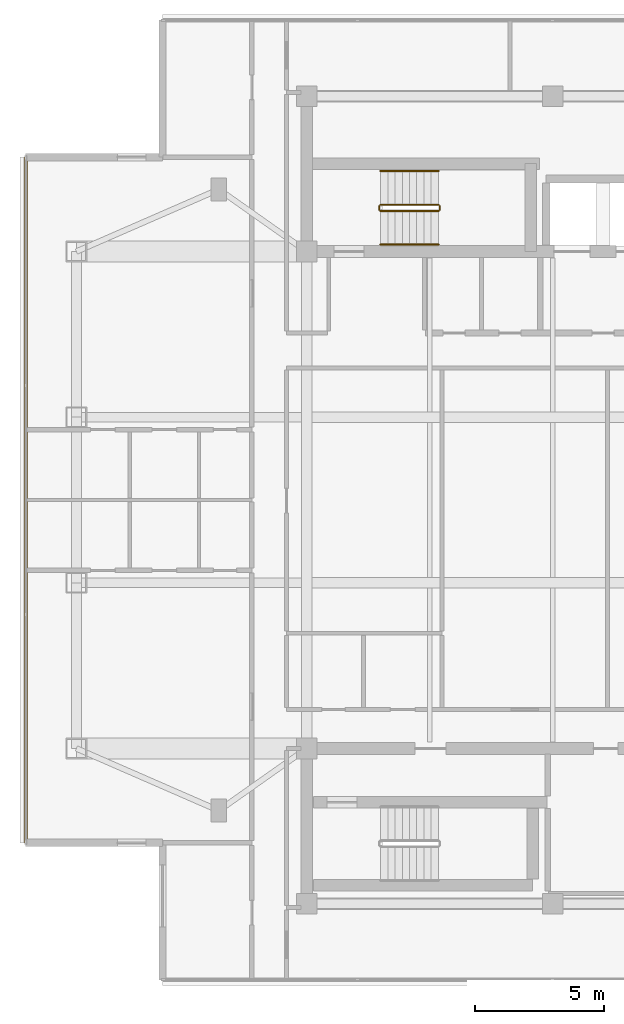
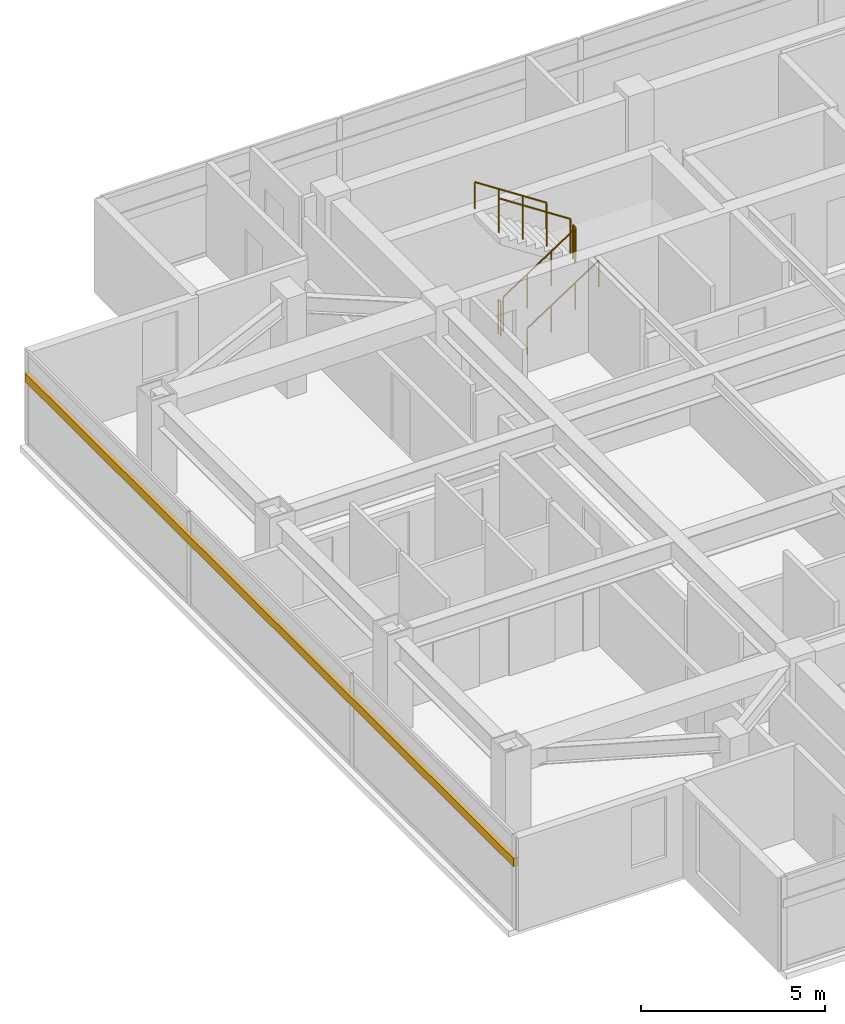
# One storey, part 11 of 12: 6 railings, 1 shading device.
"""IFC4 building model written with IfcOpenShell, lengths in metres."""

import ifcopenshell
import ifcopenshell.guid

model = None  # the IFC model being written
_history = None  # IfcOwnerHistory: only IFC2X3 demands one
_inside = {}  # id of a spatial element -> (the spatial element, [elements in it])
_under = {}  # id of a project, library or spatial element -> (it, [spatial elements below it])
_declared = {}  # id of a project -> (the project, [libraries it declares])
_typed = {}  # id of a type object -> (the type object, [elements of that type])
_made_of = {}  # id of a material, layer set ... -> (it, [elements and type objects made of it])


def new_model(schema):
    """Start an empty IFC model of exactly this schema.

    Asked for "IFC4X3", IfcOpenShell would pick the latest addendum, in which some entities
    have other attributes; the version numbers below select the first issue.
    IFC2X3 requires an IfcOwnerHistory on every rooted entity: one is made here for all.
    """
    global model, _history
    if schema == "IFC4X3":
        model = ifcopenshell.file(schema_version=(4, 3, 0, 0))
    else:
        model = ifcopenshell.file(schema=schema)
    _inside.clear()
    _under.clear()
    _declared.clear()
    _typed.clear()
    _made_of.clear()
    _history = None
    if model.schema == "IFC2X3":
        org = make("IfcOrganization", Name="unknown")
        user = make(
            "IfcPersonAndOrganization",
            ThePerson=make("IfcPerson", FamilyName="unknown"),
            TheOrganization=org,
        )
        app = make(
            "IfcApplication",
            ApplicationDeveloper=org,
            Version="unknown",
            ApplicationFullName="unknown",
            ApplicationIdentifier="unknown",
        )
        _history = make(
            "IfcOwnerHistory",
            OwningUser=user,
            OwningApplication=app,
            ChangeAction="ADDED",
            CreationDate=0,
        )
    return model


def make(cls, **values):
    """One entity of the class cls with the attributes given. An attribute that is None is left unset."""
    return model.create_entity(
        cls, **{name: value for name, value in values.items() if value is not None}
    )


def rooted(cls, **values):
    """An entity with a GlobalId (a new one), such as an element, a storey or a relation."""
    return make(cls, GlobalId=ifcopenshell.guid.new(), OwnerHistory=_history, **values)


def si_unit(unit_type, name, prefix=None):
    """IfcSIUnit, for example si_unit("LENGTHUNIT", "METRE", prefix="MILLI")."""
    return make("IfcSIUnit", UnitType=unit_type, Prefix=prefix, Name=name)


def assignment(units):
    """IfcUnitAssignment: the units of a project."""
    return None if units is None else make("IfcUnitAssignment", Units=units)


def point(xyz):
    """IfcCartesianPoint."""
    return None if xyz is None else make("IfcCartesianPoint", Coordinates=xyz)


def direction(xyz):
    """IfcDirection."""
    return None if xyz is None else make("IfcDirection", DirectionRatios=xyz)


def frame(location, z_axis=None, x_axis=None):
    """IfcAxis2Placement3D, a coordinate frame: its origin and axes. An axis left out is left unset."""
    return make(
        "IfcAxis2Placement3D",
        Location=point(location),
        Axis=direction(z_axis),
        RefDirection=direction(x_axis),
    )


def frame_2d(location, x_axis=None):
    """IfcAxis2Placement2D, a coordinate frame in the plane: its origin and x axis."""
    return make(
        "IfcAxis2Placement2D", Location=point(location), RefDirection=direction(x_axis)
    )


def origin():
    """The frame at (0, 0, 0) with its axes left unset."""
    return frame((0.0, 0.0, 0.0))


def origin_2d():
    """The frame at (0, 0) in the plane with its x axis left unset."""
    return frame_2d((0.0, 0.0))


def place(relative_to, where):
    """IfcLocalPlacement: puts the frame where relative to a parent placement (None: the world)."""
    return make(
        "IfcLocalPlacement", PlacementRelTo=relative_to, RelativePlacement=where
    )


def context(
    kind, dimensions, precision=None, world=None, true_north=None, identifier=None
):
    """IfcGeometricRepresentationContext, for example the 3D "Model" context."""
    return make(
        "IfcGeometricRepresentationContext",
        ContextIdentifier=identifier,
        ContextType=kind,
        CoordinateSpaceDimension=dimensions,
        Precision=precision,
        WorldCoordinateSystem=world,
        TrueNorth=true_north,
    )


def subcontext(parent, identifier, kind, view, scale=None):
    """IfcGeometricRepresentationSubContext, for example "Body" below "Model"."""
    return make(
        "IfcGeometricRepresentationSubContext",
        ContextIdentifier=identifier,
        ContextType=kind,
        ParentContext=parent,
        TargetScale=scale,
        TargetView=view,
    )


def project(units=None, contexts=None):
    """IfcProject with its units and contexts."""
    return rooted(
        "IfcProject",
        Name="project",
        RepresentationContexts=contexts,
        UnitsInContext=assignment(units),
    )


def spatial(cls, under=None, at=None, **own):
    """A site, building, storey or space (cls), placed at a placement, below another one or the project."""
    s = rooted(cls, ObjectPlacement=at, **own)
    if under is not None:
        _under.setdefault(under.id(), (under, []))[1].append(s)
    return s


def profile(cls, at=None, kind="AREA", **sizes):
    """A parametric profile (cls). Its sizes go by their IFC names, for example OverallWidth=200.0."""
    return make(cls, ProfileType=kind, Position=at, **sizes)


def rectangle(**sizes):
    """IfcRectangleProfileDef."""
    return profile("IfcRectangleProfileDef", **sizes)


def circle(**sizes):
    """IfcCircleProfileDef."""
    return profile("IfcCircleProfileDef", **sizes)


def extrude(swept, where, along, depth):
    """IfcExtrudedAreaSolid: the profile swept, set in the frame where, extruded along a direction by depth."""
    return make(
        "IfcExtrudedAreaSolid",
        SweptArea=swept,
        Position=where,
        ExtrudedDirection=direction(along),
        Depth=depth,
    )


def shape(context_of_items, identifier, shape_type, items):
    """IfcShapeRepresentation: the items that make up one representation, for example the "Body"."""
    return make(
        "IfcShapeRepresentation",
        ContextOfItems=context_of_items,
        RepresentationIdentifier=identifier,
        RepresentationType=shape_type,
        Items=items,
    )


def material(Name=None, Category=None):
    """IfcMaterial."""
    return make("IfcMaterial", Name=Name, Category=Category)


def material_profile(
    of_material, cross_section, Name=None, Category=None, Priority=None
):
    """IfcMaterialProfile: a cross section and its material."""
    return make(
        "IfcMaterialProfile",
        Name=Name,
        Material=of_material,
        Profile=cross_section,
        Priority=Priority,
        Category=Category,
    )


def profile_set(profiles, Name=None, composite=None):
    """IfcMaterialProfileSet."""
    return make(
        "IfcMaterialProfileSet",
        Name=Name,
        MaterialProfiles=profiles,
        CompositeProfile=composite,
    )


def made_of(thing, what):
    """Note that an element or type object is made of a material, layer set ...; save() writes the relation."""
    if what is not None:
        _made_of.setdefault(what.id(), (what, []))[1].append(thing)
    return thing


def type_object(cls, material=None, **own):
    """A type object (cls), such as IfcWallType, which elements share."""
    return made_of(rooted(cls, **own), material)


def element(
    cls,
    number,
    at=None,
    inside=None,
    cuts=None,
    type_object=None,
    material=None,
    context=None,
    identifier="Body",
    shape_type=None,
    held_by="IfcProductDefinitionShape",
    body=None,
    shapes=None,
    **own,
):
    """One element of the class cls, such as IfcWall. Its Tag is "e" and its number.

    at: its placement. inside: the storey or other place that contains it. cuts: it is an
    opening in that element (IfcRelVoidsElement). A single representation is given by context,
    identifier, shape_type and body (its items); several are given by shapes. held_by: the class
    of the entity that holds the representations. save() writes the other relations.
    """
    e = rooted(cls, Tag="e%d" % number, ObjectPlacement=at, **own)
    if body is not None:
        shapes = [shape(context, identifier, shape_type, body)]
    if shapes is not None:
        e.Representation = make(held_by, Representations=shapes)
    if inside is not None:
        _inside.setdefault(inside.id(), (inside, []))[1].append(e)
    if cuts is not None:
        rooted(
            "IfcRelVoidsElement", RelatingBuildingElement=cuts, RelatedOpeningElement=e
        )
    if type_object is not None:
        _typed.setdefault(type_object.id(), (type_object, []))[1].append(e)
    return made_of(e, material)


def aggregate(whole, parts):
    """IfcRelAggregates: a whole, such as a stair, and the parts it consists of."""
    return rooted("IfcRelAggregates", RelatingObject=whole, RelatedObjects=parts)


def save(model, path):
    """Write the relations noted so far, then the file.

    IfcRelAggregates (storeys below a building ...), IfcRelContainedInSpatialStructure (elements
    in a storey), IfcRelDefinesByType, IfcRelAssociatesMaterial and IfcRelDeclares: one each for
    every whole, place, type object, material and project.
    """
    for whole, parts in _under.values():
        aggregate(whole, parts)
    for where, things in _inside.values():
        rooted(
            "IfcRelContainedInSpatialStructure",
            RelatedElements=things,
            RelatingStructure=where,
        )
    for kind, things in _typed.values():
        rooted("IfcRelDefinesByType", RelatedObjects=things, RelatingType=kind)
    for what, things in _made_of.values():
        rooted("IfcRelAssociatesMaterial", RelatedObjects=things, RelatingMaterial=what)
    for by, libraries in _declared.values():
        rooted("IfcRelDeclares", RelatingContext=by, RelatedDefinitions=libraries)
    model.write(path)


model = new_model("IFC4")

# Units and contexts
model_context = context("Model", 3, precision=1e-05, world=origin(), true_north=direction((0.0, 1.0)))
body_context = subcontext(model_context, "Body", "Model", "MODEL_VIEW")
ifc_project = project(units=[si_unit("LENGTHUNIT", "METRE"), si_unit("AREAUNIT", "SQUARE_METRE"), si_unit("VOLUMEUNIT", "CUBIC_METRE"), si_unit("PLANEANGLEUNIT", "RADIAN"), si_unit("MASSUNIT", "GRAM", prefix="KILO")], contexts=[model_context])

# Site, building, storey
site_placement = place(None, origin())
site = spatial("IfcSite", under=ifc_project, at=site_placement, CompositionType="ELEMENT")
building_placement = place(site_placement, origin())
building = spatial("IfcBuilding", under=site, at=building_placement, Name="Mirazonda Arch Towers", CompositionType="ELEMENT")
storey_placement = place(building_placement, frame((0.0, 0.0, 222.699951171875)))
storey = spatial("IfcBuildingStorey", under=building, at=storey_placement, Name="L63", CompositionType="ELEMENT", Elevation=222.699951171875)

# Shading device
ifc_material_1 = material(Name="Kiln-Fired Architectural Terracotta", Category="masonry")
ifc_material_profile = material_profile(ifc_material_1, rectangle(XDim=0.139892578125, YDim=0.280029296875, at=origin_2d()), Name="TERRA-BAG-140x280")
ifc_profile_set = profile_set([ifc_material_profile], Name="Kiln-Fired Architectural Terracotta")
shading_device_type = type_object("IfcShadingDeviceType", Name="BAGUETTE-3", PredefinedType="USERDEFINED", material=ifc_profile_set)
shading_device_placement = place(storey_placement, frame((0.139892578125, 41.248046875, 2.217529296875), z_axis=(0.0, -1.0, 0.0), x_axis=(1.0, 0.0, 0.0)))
element("IfcShadingDevice", 1, at=shading_device_placement, inside=storey, type_object=shading_device_type, Name="L63 Glazed Terracotta Sun-Screen Baguette CW-L63-T1-W", ObjectType="BAGUETTE", PredefinedType="USERDEFINED", context=body_context, shape_type="SweptSolid", body=[
    extrude(rectangle(XDim=0.139892578125, YDim=0.280029296875, at=origin_2d()), origin(), (0.0, 0.0, 1.0), 26.49609375),
])

# Railings
ifc_material_2 = material(Name="Architectural Brushed Steel S355", Category="steel")
railing_type_1 = type_object("IfcRailingType", Name="GUARD-STAIR-1120", PredefinedType="GUARDRAIL", material=ifc_material_2)
railing_1_placement = place(storey_placement, frame((13.85009765625, 39.169921875, 0.183349609375)))
element("IfcRailing", 2, at=railing_1_placement, inside=storey, type_object=railing_type_1, Name="L63 ST-T1N stair guard 1", PredefinedType="GUARDRAIL", context=body_context, shape_type="SweptSolid", body=[
    extrude(circle(Radius=0.02392578125, at=origin_2d()), frame((0.0, 0.0, 1.1259765625), z_axis=(0.836595146698, 0.0, 0.547821650285), x_axis=(0.0, 1.0, 0.0)), (0.0, 0.0, 1.0), 2.677490234375),
    extrude(circle(Radius=0.02099609375, at=origin_2d()), origin(), (0.0, 0.0, 1.0), 1.101806640625),
    extrude(circle(Radius=0.02099609375, at=origin_2d()), frame((0.74658203125, 0.0, 0.489013671875)), (0.0, 0.0, 1.0), 1.101806640625),
    extrude(circle(Radius=0.02099609375, at=origin_2d()), frame((1.493408203125, 0.0, 0.977783203125)), (0.0, 0.0, 1.0), 1.101806640625),
    extrude(circle(Radius=0.02099609375, at=origin_2d()), frame((2.239990234375, 0.0, 1.466796875)), (0.0, 0.0, 1.0), 1.101806640625),
])
railing_2_placement = place(storey_placement, frame((16.139892578125, 39.219970703125, 1.650146484375)))
element("IfcRailing", 3, at=railing_2_placement, inside=storey, type_object=railing_type_1, Name="L63 ST-T1N stair guard 2", PredefinedType="GUARDRAIL", context=body_context, shape_type="SweptSolid", body=[
    extrude(circle(Radius=0.02392578125, at=origin_2d()), frame((0.0, 0.0, 1.1259765625), z_axis=(0.0, 1.0, 0.0), x_axis=(-1.0, 0.0, 0.0)), (0.0, 0.0, 1.0), 0.14013671875),
    extrude(circle(Radius=0.02099609375, at=origin_2d()), origin(), (0.0, 0.0, 1.0), 1.101806640625),
    extrude(circle(Radius=0.02099609375, at=origin_2d()), frame((0.0, 0.14013671875, 0.0)), (0.0, 0.0, 1.0), 1.101806640625),
])
railing_3_placement = place(storey_placement, frame((16.090087890625, 39.409912109375, 1.83349609375)))
element("IfcRailing", 4, at=railing_3_placement, inside=storey, type_object=railing_type_1, Name="L63 ST-T1N stair guard 3", PredefinedType="GUARDRAIL", context=body_context, shape_type="SweptSolid", body=[
    extrude(circle(Radius=0.02392578125, at=origin_2d()), frame((0.0, 0.0, 1.1259765625), z_axis=(-0.836636935527, 0.0, 0.547757827979), x_axis=(0.0, -1.0, 0.0)), (0.0, 0.0, 1.0), 2.677490234375),
    extrude(circle(Radius=0.02099609375, at=origin_2d()), origin(), (0.0, 0.0, 1.0), 1.101806640625),
    extrude(circle(Radius=0.02099609375, at=origin_2d()), frame((-0.74658203125, 0.0, 0.48876953125)), (0.0, 0.0, 1.0), 1.101806640625),
    extrude(circle(Radius=0.02099609375, at=origin_2d()), frame((-1.493408203125, 0.0, 0.977783203125)), (0.0, 0.0, 1.0), 1.101806640625),
    extrude(circle(Radius=0.02099609375, at=origin_2d()), frame((-2.239990234375, 0.0, 1.466552734375)), (0.0, 0.0, 1.0), 1.101806640625),
])
railing_4_placement = place(storey_placement, frame((13.800048828125, 39.219970703125, 0.0)))
element("IfcRailing", 5, at=railing_4_placement, inside=storey, type_object=railing_type_1, Name="L63 ST-T1N stair guard 4", PredefinedType="GUARDRAIL", context=body_context, shape_type="SweptSolid", body=[
    extrude(circle(Radius=0.02392578125, at=origin_2d()), frame((0.0, 0.0, 1.1259765625), z_axis=(0.0, 1.0, 0.0), x_axis=(-1.0, 0.0, 0.0)), (0.0, 0.0, 1.0), 0.14013671875),
    extrude(circle(Radius=0.02099609375, at=origin_2d()), origin(), (0.0, 0.0, 1.0), 1.101806640625),
    extrude(circle(Radius=0.02099609375, at=origin_2d()), frame((0.0, 0.14013671875, 0.0)), (0.0, 0.0, 1.0), 1.101806640625),
])
railing_type_2 = type_object("IfcRailingType", Name="HANDRAIL-915", PredefinedType="HANDRAIL", material=ifc_material_2)
railing_5_placement = place(storey_placement, frame((13.85009765625, 37.8701171875, 0.183349609375)))
element("IfcRailing", 6, at=railing_5_placement, inside=storey, type_object=railing_type_2, Name="L63 ST-T1N stair handrail 1", PredefinedType="HANDRAIL", context=body_context, shape_type="SweptSolid", body=[
    extrude(circle(Radius=0.02392578125, at=origin_2d()), frame((0.0, 0.0, 0.8759765625), z_axis=(0.836595146698, 0.0, 0.547821650285), x_axis=(0.0, 1.0, 0.0)), (0.0, 0.0, 1.0), 2.677490234375),
    extrude(circle(Radius=0.02099609375, at=origin_2d()), origin(), (0.0, 0.0, 1.0), 0.851806640625),
    extrude(circle(Radius=0.02099609375, at=origin_2d()), frame((0.74658203125, 0.0, 0.489013671875)), (0.0, 0.0, 1.0), 0.851806640625),
    extrude(circle(Radius=0.02099609375, at=origin_2d()), frame((1.493408203125, 0.0, 0.977783203125)), (0.0, 0.0, 1.0), 0.851806640625),
    extrude(circle(Radius=0.02099609375, at=origin_2d()), frame((2.239990234375, 0.0, 1.466796875)), (0.0, 0.0, 1.0), 0.851806640625),
])
railing_6_placement = place(storey_placement, frame((16.090087890625, 40.7099609375, 1.83349609375)))
element("IfcRailing", 7, at=railing_6_placement, inside=storey, type_object=railing_type_2, Name="L63 ST-T1N stair handrail 2", PredefinedType="HANDRAIL", context=body_context, shape_type="SweptSolid", body=[
    extrude(circle(Radius=0.02392578125, at=origin_2d()), frame((0.0, 0.0, 0.8759765625), z_axis=(-0.836636935527, 0.0, 0.547757827979), x_axis=(0.0, -1.0, 0.0)), (0.0, 0.0, 1.0), 2.677490234375),
    extrude(circle(Radius=0.02099609375, at=origin_2d()), origin(), (0.0, 0.0, 1.0), 0.851806640625),
    extrude(circle(Radius=0.02099609375, at=origin_2d()), frame((-0.74658203125, 0.0, 0.48876953125)), (0.0, 0.0, 1.0), 0.851806640625),
    extrude(circle(Radius=0.02099609375, at=origin_2d()), frame((-1.493408203125, 0.0, 0.977783203125)), (0.0, 0.0, 1.0), 0.851806640625),
    extrude(circle(Radius=0.02099609375, at=origin_2d()), frame((-2.239990234375, 0.0, 1.466552734375)), (0.0, 0.0, 1.0), 0.851806640625),
])

save(model, "model.ifc")
